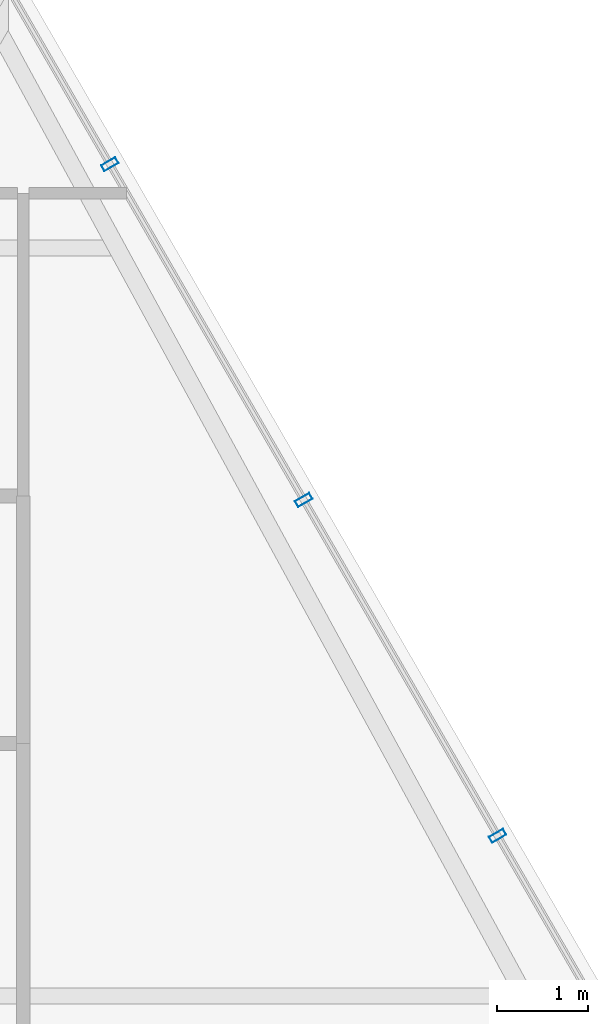
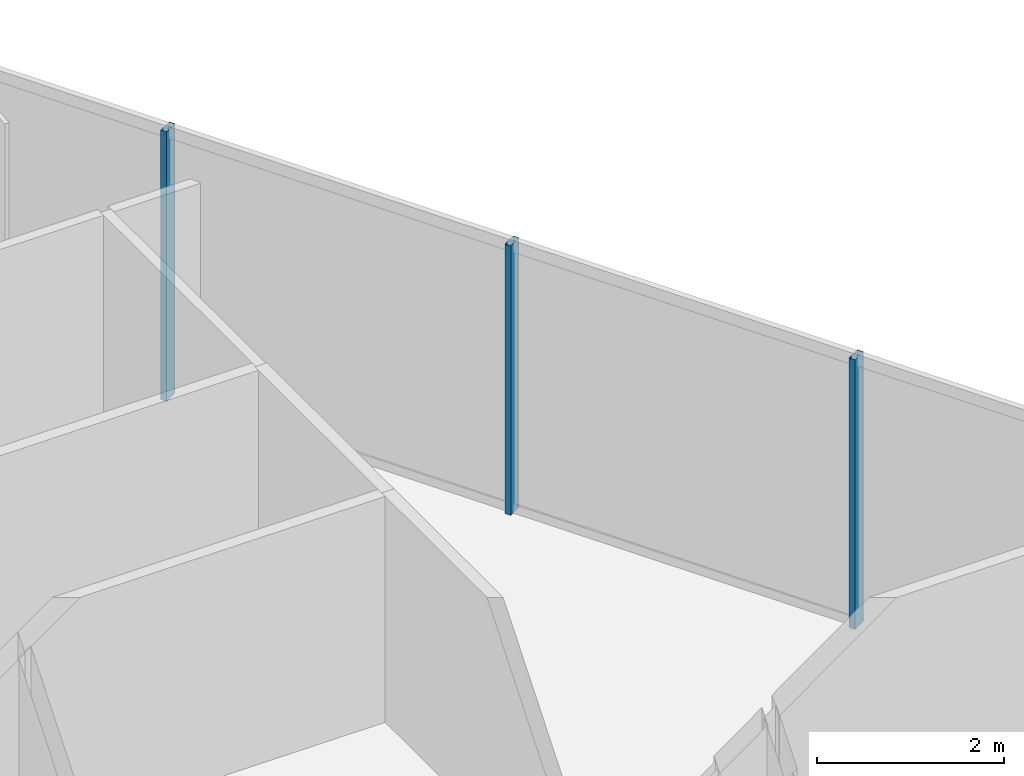
# One storey, part 17 of 34: 3 members, 1 element without a shape of its own.
"""IFC4 building model written with IfcOpenShell, lengths in metres."""

from ifc_helpers import new_model, si_unit, direction, frame, origin, origin_2d, place, context, subcontext, project, spatial, hollow_rectangle, extrude, material, layer, layer_set, material_profile, profile_set, type_object, element, aggregate, save


model = new_model("IFC4")

# Units and contexts
model_context = context("Model", 3, precision=1e-05, world=origin(), true_north=direction((0.0, 1.0)))
body_context = subcontext(model_context, "Body", "Model", "MODEL_VIEW")
ifc_project = project(units=[si_unit("LENGTHUNIT", "METRE"), si_unit("AREAUNIT", "SQUARE_METRE"), si_unit("VOLUMEUNIT", "CUBIC_METRE"), si_unit("PLANEANGLEUNIT", "RADIAN"), si_unit("MASSUNIT", "GRAM", prefix="KILO")], contexts=[model_context])

# Site, building, storey
site_placement = place(None, origin())
site = spatial("IfcSite", under=ifc_project, at=site_placement, CompositionType="ELEMENT")
building_placement = place(site_placement, origin())
building = spatial("IfcBuilding", under=site, at=building_placement, Name="Ndaravel Arena Tower", CompositionType="ELEMENT")
storey_placement = place(building_placement, frame((0.0, 0.0, 199.199951171875)))
storey = spatial("IfcBuildingStorey", under=building, at=storey_placement, Name="L48", CompositionType="ELEMENT", Elevation=199.199951171875)

# Curtain wall, members
ifc_material_1 = material(Name="Aluminium", Category="aluminium")
ifc_layer = layer(ifc_material_1, 0.179931640625)
ifc_layer_set = layer_set([ifc_layer], Name="Aluminium")
curtain_wall_type = type_object("IfcCurtainWallType", Name="CW-SYS-03", PredefinedType="NOTDEFINED", material=ifc_layer_set)
curtain_wall_placement = place(storey_placement, origin())
curtain_wall = element("IfcCurtainWall", 1, at=curtain_wall_placement, inside=storey, type_object=curtain_wall_type, Name="L48 Faceted Crystal Curtain Wall CW-L48-E03", PredefinedType="NOTDEFINED")
ifc_material_2 = material(Name="Aluminium", Category="aluminium")
ifc_material_profile = material_profile(ifc_material_2, hollow_rectangle(XDim=0.074951171875, YDim=0.179931640625, WallThickness=0.00390625, at=origin_2d()), Name="CW MULLION 75x180x4")
ifc_profile_set = profile_set([ifc_material_profile], Name="Aluminium")
member_type = type_object("IfcMemberType", Name="MEM-CW-MUL180", PredefinedType="MULLION", material=ifc_profile_set)
member_1_placement = place(storey_placement, frame((61.40087890625, 20.356689453125, 0.0), z_axis=(0.0, 0.0, 1.0), x_axis=(-0.5, 0.866025403784, 0.0)))
member_1 = element("IfcMember", 2, at=member_1_placement, type_object=member_type, Name="CW-L48-E03 Mullion 02", PredefinedType="MULLION", context=body_context, shape_type="SweptSolid", body=[
    extrude(hollow_rectangle(XDim=0.074951171875, YDim=0.179931640625, WallThickness=0.00390625, at=origin_2d()), origin(), (0.0, 0.0, 1.0), 3.52001953125),
])
member_2_placement = place(storey_placement, frame((59.275390625, 24.0380859375, 0.0), z_axis=(0.0, 0.0, 1.0), x_axis=(-0.5, 0.866025403784, 0.0)))
member_2 = element("IfcMember", 3, at=member_2_placement, type_object=member_type, Name="CW-L48-E03 Mullion 03", PredefinedType="MULLION", context=body_context, shape_type="SweptSolid", body=[
    extrude(hollow_rectangle(XDim=0.074951171875, YDim=0.179931640625, WallThickness=0.00390625, at=origin_2d()), origin(), (0.0, 0.0, 1.0), 3.52001953125),
])
member_3_placement = place(storey_placement, frame((57.150146484375, 27.719482421875, 0.0), z_axis=(0.0, 0.0, 1.0), x_axis=(-0.5, 0.866025403784, 0.0)))
member_3 = element("IfcMember", 4, at=member_3_placement, type_object=member_type, Name="CW-L48-E03 Mullion 04", PredefinedType="MULLION", context=body_context, shape_type="SweptSolid", body=[
    extrude(hollow_rectangle(XDim=0.074951171875, YDim=0.179931640625, WallThickness=0.00390625, at=origin_2d()), origin(), (0.0, 0.0, 1.0), 3.52001953125),
])
aggregate(curtain_wall, [member_1, member_2, member_3])

save(model, "model.ifc")
